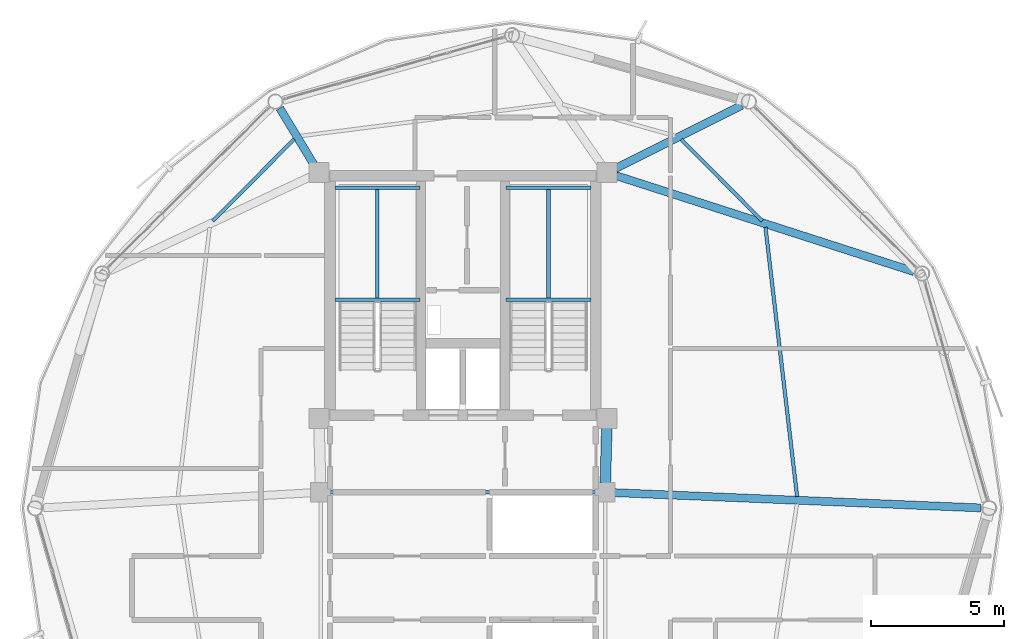
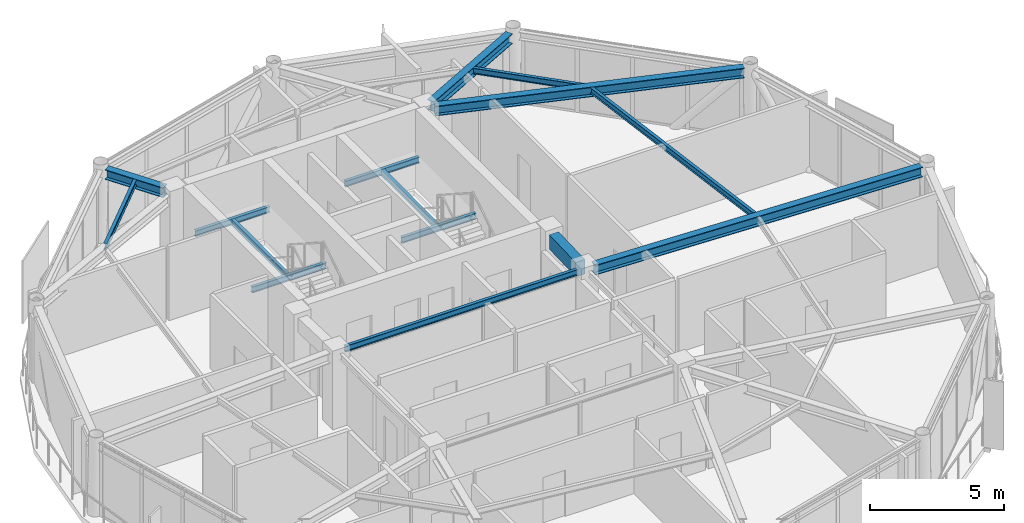
# One storey, part 12 of 25: 15 beams.
"""IFC4 building model written with IfcOpenShell, lengths in metres."""

from ifc_helpers import new_model, si_unit, direction, frame, origin, origin_2d, place, context, subcontext, project, spatial, rectangle, i_section, extrude, material, material_profile, profile_set, type_object, element, save


model = new_model("IFC4")

# Units and contexts
model_context = context("Model", 3, precision=1e-05, world=origin(), true_north=direction((0.0, 1.0)))
body_context = subcontext(model_context, "Body", "Model", "MODEL_VIEW")
ifc_project = project(units=[si_unit("LENGTHUNIT", "METRE"), si_unit("AREAUNIT", "SQUARE_METRE"), si_unit("VOLUMEUNIT", "CUBIC_METRE"), si_unit("PLANEANGLEUNIT", "RADIAN"), si_unit("MASSUNIT", "GRAM", prefix="KILO")], contexts=[model_context])

# Site, building, storey
site_placement = place(None, origin())
site = spatial("IfcSite", under=ifc_project, at=site_placement, CompositionType="ELEMENT")
building_placement = place(site_placement, origin())
building = spatial("IfcBuilding", under=site, at=building_placement, Name="Varnakorn Sky Granary", CompositionType="ELEMENT")
storey_placement = place(building_placement, frame((0.0, 0.0, 277.800048828125)))
storey = spatial("IfcBuildingStorey", under=building, at=storey_placement, Name="L71", CompositionType="ELEMENT", Elevation=277.800048828125)

# Beams
ifc_material_1 = material(Name="Concrete C50/60", Category="concrete")
ifc_material_profile_1 = material_profile(ifc_material_1, rectangle(XDim=0.39990234375, YDim=0.64990234375, at=origin_2d()), Name="RC 400x650")
ifc_profile_set_1 = profile_set([ifc_material_profile_1], Name="Concrete C50/60")
beam_type_1 = type_object("IfcBeamType", Name="BM-LIN-650", PredefinedType="LINTEL", material=ifc_profile_set_1)
beam_1_placement = place(storey_placement, frame((8.4111328125, 3.025146484375, 3.034912109375), z_axis=(-0.025227817192, -0.999681727971, 0.0), x_axis=(0.999681727971, -0.025227817192, 0.0)))
element("IfcBeam", 1, at=beam_1_placement, inside=storey, type_object=beam_type_1, Name="Core Spine Framing Beam 2 L71", PredefinedType="LINTEL", context=body_context, shape_type="SweptSolid", body=[
    extrude(rectangle(XDim=0.39990234375, YDim=0.64990234375, at=origin_2d()), origin(), (0.0, 0.0, 1.0), 2.071044921875),
])
ifc_material_2 = material(Name="Steel S355JR", Category="steel")
ifc_material_profile_2 = material_profile(ifc_material_2, i_section(OverallWidth=0.135009765625, OverallDepth=0.27001953125, WebThickness=0.006591796875, FlangeThickness=0.01025390625, at=origin_2d()), Name="IPE 270")
ifc_profile_set_2 = profile_set([ifc_material_profile_2], Name="Steel S355JR")
beam_type_2 = type_object("IfcBeamType", Name="BM-LND-270", PredefinedType="BEAM", material=ifc_profile_set_2)
for number, where, z_axis, x_axis, name in (
    (2, (-1.820068359375, 7.840087890625, 1.46484375), (1.0, 0.0, 0.0), (0.0, 1.0, 0.0), "Stair ST-1 Landing Trimmer Beam A L71-1"),
    (3, (-1.820068359375, 12.06005859375, 1.46484375), (1.0, 0.0, 0.0), (0.0, 1.0, 0.0), "Stair ST-1 Landing Trimmer Beam B L71-1"),
):
    element("IfcBeam", number, at=place(storey_placement, frame(where, z_axis=z_axis, x_axis=x_axis)), inside=storey, type_object=beam_type_2, Name=name, PredefinedType="BEAM", context=body_context, shape_type="SweptSolid", body=[
        extrude(i_section(OverallWidth=0.135009765625, OverallDepth=0.27001953125, WebThickness=0.006591796875, FlangeThickness=0.01025390625, at=origin_2d()), origin(), (0.0, 0.0, 1.0), 3.199951171875),
    ])
beam_2_placement = place(storey_placement, frame((-0.219970703125, 7.840087890625, 1.46484375), z_axis=(0.0, 1.0, 0.0), x_axis=(-1.0, 0.0, 0.0)))
element("IfcBeam", 4, at=beam_2_placement, inside=storey, type_object=beam_type_2, Name="Stair ST-1 Landing Cross Beam C L71-1", PredefinedType="BEAM", context=body_context, shape_type="SweptSolid", body=[
    extrude(i_section(OverallWidth=0.135009765625, OverallDepth=0.27001953125, WebThickness=0.006591796875, FlangeThickness=0.01025390625, at=origin_2d()), origin(), (0.0, 0.0, 1.0), 4.219970703125),
])
for number, where, z_axis, x_axis, name in (
    (5, (4.6201171875, 7.840087890625, 1.46484375), (1.0, 0.0, 0.0), (0.0, 1.0, 0.0), "Stair ST-2 Landing Trimmer Beam A L71-1"),
    (6, (4.6201171875, 12.06005859375, 1.46484375), (1.0, 0.0, 0.0), (0.0, 1.0, 0.0), "Stair ST-2 Landing Trimmer Beam B L71-1"),
):
    element("IfcBeam", number, at=place(storey_placement, frame(where, z_axis=z_axis, x_axis=x_axis)), inside=storey, type_object=beam_type_2, Name=name, PredefinedType="BEAM", context=body_context, shape_type="SweptSolid", body=[
        extrude(i_section(OverallWidth=0.135009765625, OverallDepth=0.27001953125, WebThickness=0.006591796875, FlangeThickness=0.01025390625, at=origin_2d()), origin(), (0.0, 0.0, 1.0), 3.199951171875),
    ])
beam_3_placement = place(storey_placement, frame((6.219970703125, 7.840087890625, 1.46484375), z_axis=(0.0, 1.0, 0.0), x_axis=(-1.0, 0.0, 0.0)))
element("IfcBeam", 7, at=beam_3_placement, inside=storey, type_object=beam_type_2, Name="Stair ST-2 Landing Cross Beam C L71-1", PredefinedType="BEAM", context=body_context, shape_type="SweptSolid", body=[
    extrude(i_section(OverallWidth=0.135009765625, OverallDepth=0.27001953125, WebThickness=0.006591796875, FlangeThickness=0.01025390625, at=origin_2d()), origin(), (0.0, 0.0, 1.0), 4.219970703125),
])
ifc_material_profile_3 = material_profile(ifc_material_2, i_section(OverallWidth=0.300048828125, OverallDepth=0.449951171875, WebThickness=0.013916015625, FlangeThickness=0.02587890625, at=origin_2d()), Name="HE 450 B")
ifc_profile_set_3 = profile_set([ifc_material_profile_3], Name="Steel S355JR")
beam_type_3 = type_object("IfcBeamType", Name="BM-RAD-Z5", PredefinedType="BEAM", material=ifc_profile_set_3)
beam_4_placement = place(storey_placement, frame((8.70458984375, 0.585205078125, 3.135009765625), z_axis=(0.999131168047, -0.041676240685, 0.0), x_axis=(0.041676240685, 0.999131168047, 0.0)))
element("IfcBeam", 8, at=beam_4_placement, inside=storey, type_object=beam_type_3, Name="Radial Floor Girder RG01 L71", PredefinedType="BEAM", context=body_context, shape_type="SweptSolid", body=[
    extrude(i_section(OverallWidth=0.300048828125, OverallDepth=0.449951171875, WebThickness=0.013916015625, FlangeThickness=0.02587890625, at=origin_2d()), origin(), (0.0, 0.0, 1.0), 13.778076171875),
])
beam_5_placement = place(storey_placement, frame((8.7578125, 12.510986328125, 3.135009765625), z_axis=(0.951798429219, -0.306724224893, 0.0), x_axis=(0.306724224893, 0.951798429219, 0.0)))
element("IfcBeam", 9, at=beam_5_placement, inside=storey, type_object=beam_type_3, Name="Radial Floor Girder RG02 L71", PredefinedType="BEAM", context=body_context, shape_type="SweptSolid", body=[
    extrude(i_section(OverallWidth=0.300048828125, OverallDepth=0.449951171875, WebThickness=0.013916015625, FlangeThickness=0.02587890625, at=origin_2d()), origin(), (0.0, 0.0, 1.0), 11.7802734375),
])
beam_6_placement = place(storey_placement, frame((8.737548828125, 12.77880859375, 3.135009765625), z_axis=(0.894565063839, 0.446937743494, 0.0), x_axis=(-0.446937743494, 0.894565063839, 0.0)))
element("IfcBeam", 10, at=beam_6_placement, inside=storey, type_object=beam_type_3, Name="Radial Floor Girder RG03 L71", PredefinedType="BEAM", context=body_context, shape_type="SweptSolid", body=[
    extrude(i_section(OverallWidth=0.300048828125, OverallDepth=0.449951171875, WebThickness=0.013916015625, FlangeThickness=0.02587890625, at=origin_2d()), origin(), (0.0, 0.0, 1.0), 5.310546875),
])
beam_7_placement = place(storey_placement, frame((-2.60400390625, 12.923583984375, 3.135009765625), z_axis=(-0.517924068804, 0.85542659472, 0.0), x_axis=(-0.85542659472, -0.517924068804, 0.0)))
element("IfcBeam", 11, at=beam_7_placement, inside=storey, type_object=beam_type_3, Name="Radial Floor Girder RG05 L71", PredefinedType="BEAM", context=body_context, shape_type="SweptSolid", body=[
    extrude(i_section(OverallWidth=0.300048828125, OverallDepth=0.449951171875, WebThickness=0.013916015625, FlangeThickness=0.02587890625, at=origin_2d()), origin(), (0.0, 0.0, 1.0), 2.47900390625),
])
ifc_material_profile_4 = material_profile(ifc_material_2, i_section(OverallWidth=0.135009765625, OverallDepth=0.27001953125, WebThickness=0.006591796875, FlangeThickness=0.01025390625, at=origin_2d()), Name="IPE 270")
ifc_profile_set_4 = profile_set([ifc_material_profile_4], Name="Steel S355JR")
beam_type_4 = type_object("IfcBeamType", Name="BM-SEC-Z5", PredefinedType="BEAM", material=ifc_profile_set_4)
beam_8_placement = place(storey_placement, frame((15.5712890625, 0.43701171875, 3.224853515625), z_axis=(-0.116780130471, 0.993157792663, 0.0), x_axis=(-0.993157792663, -0.116780130471, 0.0)))
element("IfcBeam", 12, at=beam_8_placement, inside=storey, type_object=beam_type_4, Name="Secondary Floor Chord Beam MSB01 L71", PredefinedType="BEAM", context=body_context, shape_type="SweptSolid", body=[
    extrude(i_section(OverallWidth=0.135009765625, OverallDepth=0.27001953125, WebThickness=0.006591796875, FlangeThickness=0.01025390625, at=origin_2d()), origin(), (0.0, 0.0, 1.0), 10.197998046875),
])
beam_9_placement = place(storey_placement, frame((14.265380859375, 10.803466796875, 3.224853515625), z_axis=(-0.706005172769, 0.708206676066, 0.0), x_axis=(-0.708206676066, -0.706005172769, 0.0)))
element("IfcBeam", 13, at=beam_9_placement, inside=storey, type_object=beam_type_4, Name="Secondary Floor Chord Beam MSB02 L71", PredefinedType="BEAM", context=body_context, shape_type="SweptSolid", body=[
    extrude(i_section(OverallWidth=0.135009765625, OverallDepth=0.27001953125, WebThickness=0.006591796875, FlangeThickness=0.01025390625, at=origin_2d()), origin(), (0.0, 0.0, 1.0), 4.324951171875),
])
beam_10_placement = place(storey_placement, frame((-3.3447265625, 13.884765625, 3.224853515625), z_axis=(-0.705056354355, -0.709151279477, 0.0), x_axis=(0.709151279477, -0.705056354355, 0.0)))
element("IfcBeam", 14, at=beam_10_placement, inside=storey, type_object=beam_type_4, Name="Secondary Floor Chord Beam MSB05 L71", PredefinedType="BEAM", context=body_context, shape_type="SweptSolid", body=[
    extrude(i_section(OverallWidth=0.135009765625, OverallDepth=0.27001953125, WebThickness=0.006591796875, FlangeThickness=0.01025390625, at=origin_2d()), origin(), (0.0, 0.0, 1.0), 4.352294921875),
])
beam_11_placement = place(storey_placement, frame((-1.9951171875, 0.60009765625, 3.224853515625), z_axis=(1.0, 0.0, 0.0), x_axis=(0.0, 1.0, 0.0)))
element("IfcBeam", 15, at=beam_11_placement, inside=storey, type_object=beam_type_4, Name="Core Spine Framing Beam 5 L71", PredefinedType="BEAM", context=body_context, shape_type="SweptSolid", body=[
    extrude(i_section(OverallWidth=0.135009765625, OverallDepth=0.27001953125, WebThickness=0.006591796875, FlangeThickness=0.01025390625, at=origin_2d()), origin(), (0.0, 0.0, 1.0), 9.990234375),
])

save(model, "model.ifc")
